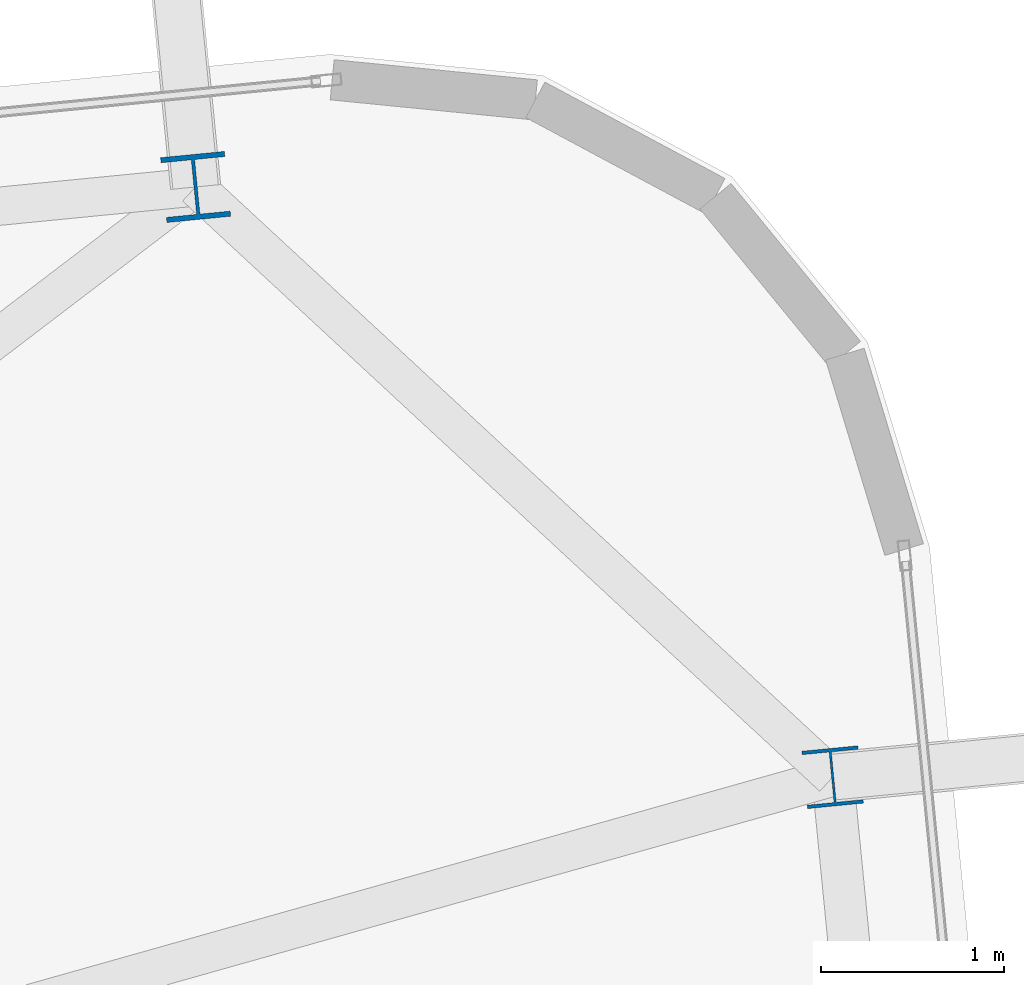
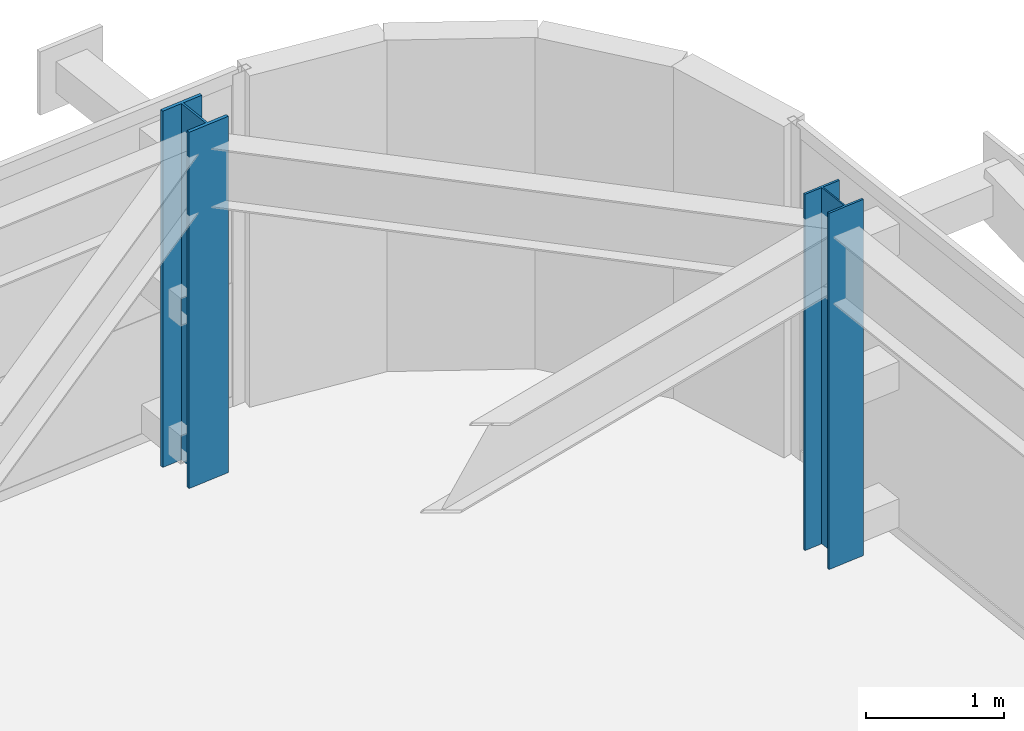
# One storey, part 4 of 53: 2 columns.
"""IFC4 building model written with IfcOpenShell, lengths in metres."""

from ifc_helpers import new_model, si_unit, direction, frame, origin, origin_2d, place, context, subcontext, project, spatial, i_section, extrude, source, transform, mapped, material, material_profile, profile_set, type_object, element, save


model = new_model("IFC4")

# Units and contexts
model_context = context("Model", 3, precision=1e-05, world=origin(), true_north=direction((0.0, 1.0)))
body_context = subcontext(model_context, "Body", "Model", "MODEL_VIEW")
ifc_project = project(units=[si_unit("LENGTHUNIT", "METRE"), si_unit("AREAUNIT", "SQUARE_METRE"), si_unit("VOLUMEUNIT", "CUBIC_METRE"), si_unit("PLANEANGLEUNIT", "RADIAN"), si_unit("MASSUNIT", "GRAM", prefix="KILO")], contexts=[model_context])

# Site, building, storey
site_placement = place(None, origin())
site = spatial("IfcSite", under=ifc_project, at=site_placement, CompositionType="ELEMENT")
building_placement = place(site_placement, origin())
building = spatial("IfcBuilding", under=site, at=building_placement, Name="Taldren Reach Tower", CompositionType="ELEMENT")
storey_placement = place(building_placement, frame((0.0, 0.0, 84.0)))
storey = spatial("IfcBuildingStorey", under=building, at=storey_placement, Name="L25", CompositionType="ELEMENT", Elevation=84.0)

# Columns
ifc_material = material(Name="Steel Gr 350 (350PLUS)", Category="steel")
ifc_material_profile_1 = material_profile(ifc_material, i_section(OverallWidth=0.35009765625, OverallDepth=0.35595703125, WebThickness=0.01806640625, FlangeThickness=0.028076171875, at=origin_2d()), Name="350WC197")
ifc_profile_set_1 = profile_set([ifc_material_profile_1], Name="Steel Gr 350 (350PLUS)")
column_type_1 = type_object("IfcColumnType", Name="COL-WC350", PredefinedType="COLUMN", material=ifc_profile_set_1)
shared_shape_1 = source(origin(), body_context, "Body", "SweptSolid", [
    extrude(i_section(OverallWidth=0.35009765625, OverallDepth=0.35595703125, WebThickness=0.01806640625, FlangeThickness=0.028076171875, at=origin_2d()), origin(), (0.0, 0.0, 1.0), 3.14990234375),
])
column_1_placement = place(storey_placement, frame((59.765869140625, 38.679931640625, 0.0), z_axis=(0.0, 0.0, 1.0), x_axis=(0.995227399982, 0.097582899759, 0.0)))
element("IfcColumn", 1, at=column_1_placement, inside=storey, type_object=column_type_1, Name="Block B2 perimeter column N6 L25", PredefinedType="COLUMN", context=body_context, shape_type="MappedRepresentation", body=[
    mapped(shared_shape_1, transform((0.0, 0.0, 0.0), scale=1.0)),
])
ifc_material_profile_2 = material_profile(ifc_material, i_section(OverallWidth=0.306884765625, OverallDepth=0.31494140625, WebThickness=0.011962890625, FlangeThickness=0.018798828125, at=origin_2d()), Name="310UC118")
ifc_profile_set_2 = profile_set([ifc_material_profile_2], Name="Steel Gr 350 (350PLUS)")
column_type_2 = type_object("IfcColumnType", Name="COL-UC310B", PredefinedType="COLUMN", material=ifc_profile_set_2)
shared_shape_2 = source(origin(), body_context, "Body", "SweptSolid", [
    extrude(i_section(OverallWidth=0.306884765625, OverallDepth=0.31494140625, WebThickness=0.011962890625, FlangeThickness=0.018798828125, at=origin_2d()), origin(), (0.0, 0.0, 1.0), 3.14990234375),
])
column_2_placement = place(storey_placement, frame((63.247314453125, 35.454345703125, 0.0), z_axis=(0.0, 0.0, 1.0), x_axis=(0.995227399982, 0.097582899759, 0.0)))
element("IfcColumn", 2, at=column_2_placement, inside=storey, type_object=column_type_2, Name="Block B2 perimeter column E3 L25", PredefinedType="COLUMN", context=body_context, shape_type="MappedRepresentation", body=[
    mapped(shared_shape_2, transform((0.0, 0.0, 0.0), scale=1.0)),
])

save(model, "model.ifc")
